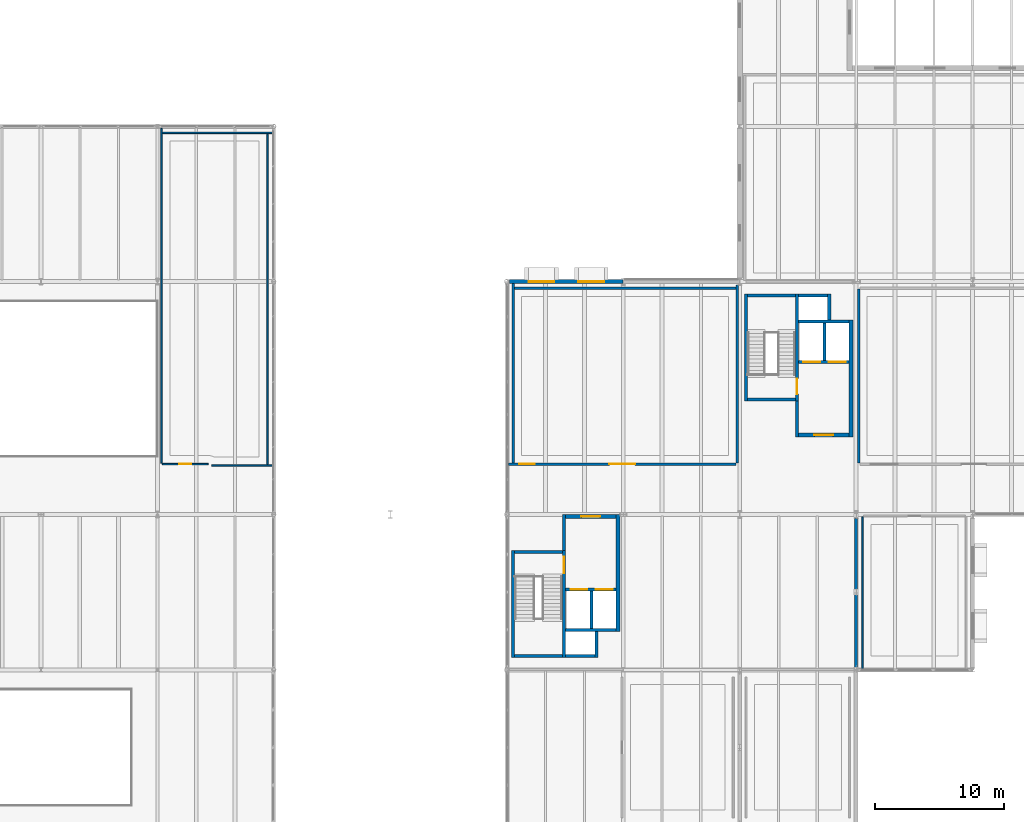
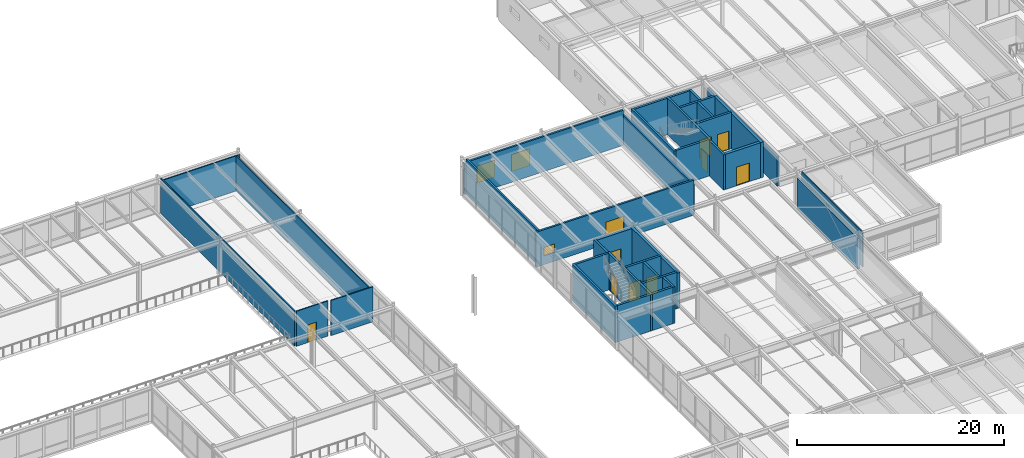
# One storey, part 114 of 127: 37 walls, 10 doors, 3 windows, 13 openings.
"""IFC4 building model written with IfcOpenShell, lengths in metres."""

from ifc_helpers import new_model, si_unit, direction, frame, frame_2d, origin, place, context, subcontext, project, spatial, rectangle, extrude, material, layer, layer_set, type_object, element, fill, save


model = new_model("IFC4")

# Units and contexts
model_context = context("Model", 3, precision=1e-05, world=origin(), true_north=direction((0.0, 1.0)))
body_context = subcontext(model_context, "Body", "Model", "MODEL_VIEW")
ifc_project = project(units=[si_unit("LENGTHUNIT", "METRE"), si_unit("AREAUNIT", "SQUARE_METRE"), si_unit("VOLUMEUNIT", "CUBIC_METRE"), si_unit("PLANEANGLEUNIT", "RADIAN"), si_unit("MASSUNIT", "GRAM", prefix="KILO")], contexts=[model_context])

# Site, building, storey
site_placement = place(None, origin())
site = spatial("IfcSite", under=ifc_project, at=site_placement, CompositionType="ELEMENT")
building_placement = place(site_placement, origin())
building = spatial("IfcBuilding", under=site, at=building_placement, Name="Montelvaro Courts of Justice", CompositionType="ELEMENT")
storey_placement = place(building_placement, frame((0.0, 0.0, 5.39990234375)))
storey = spatial("IfcBuildingStorey", under=building, at=storey_placement, Name="L01", CompositionType="ELEMENT", Elevation=5.39990234375)

# Wall, opening, door
ifc_material_1 = material(Name="Concrete C40/50", Category="concrete")
ifc_layer_1 = layer(ifc_material_1, 0.320068359375)
ifc_layer_set_1 = layer_set([ifc_layer_1], Name="Concrete C40/50")
wall_type_1 = type_object("IfcWallType", Name="CoreWall_320", PredefinedType="SHEAR", material=ifc_layer_set_1)
wall_1_placement = place(storey_placement, frame((121.5400390625, 84.159912109375, 0.0), z_axis=(0.0, 0.0, 1.0), x_axis=(1.0, 0.0, 0.0)))
wall_1 = element("IfcWall", 1, at=wall_1_placement, inside=storey, type_object=wall_type_1, Name="Core Shear Wall CW-02 K3-S (L01)", PredefinedType="SHEAR", context=body_context, shape_type="SweptSolid", body=[
    extrude(rectangle(XDim=3.89990234375, YDim=0.320068359375, at=frame_2d((1.949951171875, 0.0))), origin(), (0.0, 0.0, 1.0), 4.16015625),
])
opening_1_placement = place(wall_1_placement, frame((1.22509765625, 0.0, 0.0)))
opening_1 = element("IfcOpeningElement", 2, at=opening_1_placement, cuts=wall_1, Name="Opening DL-L01-K3", PredefinedType="OPENING", context=body_context, shape_type="SweptSolid", body=[
    extrude(rectangle(XDim=1.449951171875, YDim=2.199951171875, at=frame_2d((0.72509765625, 1.10009765625))), frame((0.0, 0.1748046875, 0.0), z_axis=(0.0, -1.0, 0.0), x_axis=(1.0, 0.0, 0.0)), (0.0, 0.0, 1.0), 0.349853515625),
])
ifc_material_2 = material(Name="Galvanised steel S355 security door", Category="steel")
door_type_1 = type_object("IfcDoorType", Name="LobbyFireDoor_145x220", OperationType="DOUBLE_DOOR_SINGLE_SWING", PredefinedType="DOOR", material=ifc_material_2)
door_1_placement = place(opening_1_placement, origin())
door_1 = element("IfcDoor", 3, at=door_1_placement, inside=storey, type_object=door_type_1, Name="Core Lobby Fire Door DL-L01-K3", OperationType="DOUBLE_DOOR_SINGLE_SWING", OverallHeight=2.199951171875, OverallWidth=1.449951171875, PredefinedType="DOOR", context=body_context, shape_type="SweptSolid", body=[
    extrude(rectangle(XDim=1.449951171875, YDim=2.199951171875, at=frame_2d((0.72509765625, 1.10009765625))), frame((0.0, 0.02490234375, 0.0), z_axis=(0.0, -1.0, 0.0), x_axis=(1.0, 0.0, 0.0)), (0.0, 0.0, 1.0), 0.050048828125),
])
fill(opening_1, door_1)

# Wall
wall_2_placement = place(storey_placement, frame((125.60009765625, 84.0, 0.0), z_axis=(0.0, 0.0, 1.0), x_axis=(0.0, 1.0, 0.0)))
element("IfcWall", 4, at=wall_2_placement, inside=storey, type_object=wall_type_1, Name="Core Shear Wall CW-02 K3-E (L01)", PredefinedType="SHEAR", context=body_context, shape_type="SweptSolid", body=[
    extrude(rectangle(XDim=9.0400390625, YDim=0.320068359375, at=frame_2d((4.52001953125, 0.0))), origin(), (0.0, 0.0, 1.0), 4.16015625),
])

# Wall, opening, door
wall_3_placement = place(storey_placement, frame((103.5400390625, 77.840087890625, 0.0), z_axis=(0.0, 0.0, 1.0), x_axis=(1.0, 0.0, 0.0)))
wall_3 = element("IfcWall", 5, at=wall_3_placement, inside=storey, type_object=wall_type_1, Name="Core Shear Wall CW-02 K4-N (L01)", PredefinedType="SHEAR", context=body_context, shape_type="SweptSolid", body=[
    extrude(rectangle(XDim=3.89990234375, YDim=0.320068359375, at=frame_2d((1.949951171875, 0.0))), origin(), (0.0, 0.0, 1.0), 4.16015625),
])
opening_2_placement = place(wall_3_placement, frame((1.22509765625, 0.0, 0.0)))
opening_2 = element("IfcOpeningElement", 6, at=opening_2_placement, cuts=wall_3, Name="Opening DL-L01-K4", PredefinedType="OPENING", context=body_context, shape_type="SweptSolid", body=[
    extrude(rectangle(XDim=1.449951171875, YDim=2.199951171875, at=frame_2d((0.72509765625, 1.10009765625))), frame((0.0, 0.1748046875, 0.0), z_axis=(0.0, -1.0, 0.0), x_axis=(1.0, 0.0, 0.0)), (0.0, 0.0, 1.0), 0.349853515625),
])
door_2_placement = place(opening_2_placement, origin())
door_2 = element("IfcDoor", 7, at=door_2_placement, inside=storey, type_object=door_type_1, Name="Core Lobby Fire Door DL-L01-K4", OperationType="DOUBLE_DOOR_SINGLE_SWING", OverallHeight=2.199951171875, OverallWidth=1.449951171875, PredefinedType="DOOR", context=body_context, shape_type="SweptSolid", body=[
    extrude(rectangle(XDim=1.449951171875, YDim=2.199951171875, at=frame_2d((0.72509765625, 1.10009765625))), frame((0.0, 0.02490234375, 0.0), z_axis=(0.0, -1.0, 0.0), x_axis=(1.0, 0.0, 0.0)), (0.0, 0.0, 1.0), 0.050048828125),
])
fill(opening_2, door_2)

# Walls
wall_4_placement = place(storey_placement, frame((107.60009765625, 68.9599609375, 0.0), z_axis=(0.0, 0.0, 1.0), x_axis=(0.0, 1.0, 0.0)))
element("IfcWall", 8, at=wall_4_placement, inside=storey, type_object=wall_type_1, Name="Core Shear Wall CW-02 K4-E (L01)", PredefinedType="SHEAR", context=body_context, shape_type="SweptSolid", body=[
    extrude(rectangle(XDim=9.0400390625, YDim=0.320068359375, at=frame_2d((4.52001953125, 0.0))), origin(), (0.0, 0.0, 1.0), 4.16015625),
])
ifc_material_3 = material(Name="Gypsum acoustic double stud with mineral wool")
ifc_layer_2 = layer(ifc_material_3, 0.199951171875)
ifc_layer_set_2 = layer_set([ifc_layer_2], Name="Gypsum acoustic double stud with mineral wool")
wall_type_2 = type_object("IfcWallType", Name="CourtAcousticWall_200", PredefinedType="PARTITIONING", material=ifc_layer_set_2)
wall_5_placement = place(storey_placement, frame((116.800048828125, 95.72705078125, 0.0), z_axis=(0.0, 0.0, 1.0), x_axis=(0.0, -1.0, 0.0)))
element("IfcWall", 9, at=wall_5_placement, inside=storey, type_object=wall_type_2, Name="Interior Partition IW-01 (L01)", PredefinedType="PARTITIONING", context=body_context, shape_type="SweptSolid", body=[
    extrude(rectangle(XDim=13.7470703125, YDim=0.199951171875, at=frame_2d((6.87353515625, 0.0))), origin(), (0.0, 0.0, 1.0), 3.545166015625),
])

# Wall, openings, door, window
wall_6_placement = place(storey_placement, frame((116.719970703125, 81.89990234375, 0.0), z_axis=(0.0, 0.0, 1.0), x_axis=(-1.0, 0.0, 0.0)))
wall_6 = element("IfcWall", 10, at=wall_6_placement, inside=storey, type_object=wall_type_2, Name="Interior Partition IW-01 (L01)", PredefinedType="PARTITIONING", context=body_context, shape_type="SweptSolid", body=[
    extrude(rectangle(XDim=17.594970703125, YDim=0.199951171875, at=frame_2d((8.79736328125, 0.0))), origin(), (0.0, 0.0, 1.0), 4.14013671875),
])
opening_3_placement = place(wall_6_placement, frame((7.797119140625, 0.0, 0.0)))
opening_3 = element("IfcOpeningElement", 11, at=opening_3_placement, cuts=wall_6, Name="Opening D-L01-060", PredefinedType="OPENING", context=body_context, shape_type="SweptSolid", body=[
    extrude(rectangle(XDim=2.0, YDim=2.60009765625, at=frame_2d((1.0, 1.300048828125))), frame((0.0, 0.11474609375, 0.0), z_axis=(0.0, -1.0, 0.0), x_axis=(1.0, 0.0, 0.0)), (0.0, 0.0, 1.0), 0.229736328125),
])
opening_4_placement = place(wall_6_placement, frame((15.544921875, 0.0, 1.050048828125)))
opening_4 = element("IfcOpeningElement", 12, at=opening_4_placement, cuts=wall_6, Name="Opening WI-03", PredefinedType="OPENING", context=body_context, shape_type="SweptSolid", body=[
    extrude(rectangle(XDim=1.199951171875, YDim=1.0, at=frame_2d((0.60009765625, 0.5))), frame((0.0, 0.11474609375, 0.0), z_axis=(0.0, -1.0, 0.0), x_axis=(1.0, 0.0, 0.0)), (0.0, 0.0, 1.0), 0.229736328125),
])
ifc_material_4 = material(Name="Acoustic oak timber veneer", Category="wood")
door_type_2 = type_object("IfcDoorType", Name="CourtDoor_200x260", OperationType="DOUBLE_DOOR_SINGLE_SWING", PredefinedType="DOOR", material=ifc_material_4)
door_3_placement = place(opening_3_placement, origin())
door_3 = element("IfcDoor", 13, at=door_3_placement, inside=storey, type_object=door_type_2, Name="Interior Door D-L01-060 (Penal Courtroom 04)", OperationType="DOUBLE_DOOR_SINGLE_SWING", OverallHeight=2.60009765625, OverallWidth=2.0, PredefinedType="DOOR", context=body_context, shape_type="SweptSolid", body=[
    extrude(rectangle(XDim=2.0, YDim=2.60009765625, at=frame_2d((1.0, 1.300048828125))), frame((0.0, 0.02490234375, 0.0), z_axis=(0.0, -1.0, 0.0), x_axis=(1.0, 0.0, 0.0)), (0.0, 0.0, 1.0), 0.050048828125),
])
fill(opening_3, door_3)
ifc_material_5 = material(Name="Acoustic laminated double glazing", Category="glass")
window_type_1 = type_object("IfcWindowType", Name="IntVision_120x100", PartitioningType="SINGLE_PANEL", PredefinedType="WINDOW", material=ifc_material_5)
window_1_placement = place(opening_4_placement, origin())
window_1 = element("IfcWindow", 14, at=window_1_placement, inside=storey, type_object=window_type_1, Name="Interior Vision Panel WI-031", OverallHeight=1.0, OverallWidth=1.199951171875, PartitioningType="SINGLE_PANEL", PredefinedType="WINDOW", context=body_context, shape_type="SweptSolid", body=[
    extrude(rectangle(XDim=1.199951171875, YDim=1.0, at=frame_2d((0.60009765625, 0.5))), frame((0.0, 0.030029296875, 0.0), z_axis=(0.0, -1.0, 0.0), x_axis=(1.0, 0.0, 0.0)), (0.0, 0.0, 1.0), 0.06005859375),
])
fill(opening_4, window_1)

# Walls
wall_7_placement = place(storey_placement, frame((99.5, 81.97998046875, 0.0), z_axis=(0.0, 0.0, 1.0), x_axis=(0.0, 1.0, 0.0)))
element("IfcWall", 15, at=wall_7_placement, inside=storey, type_object=wall_type_2, Name="Interior Partition IW-01 (L01)", PredefinedType="PARTITIONING", context=body_context, shape_type="SweptSolid", body=[
    extrude(rectangle(XDim=13.875, YDim=0.199951171875, at=frame_2d((6.9375, 0.0))), origin(), (0.0, 0.0, 1.0), 4.14013671875),
])
wall_8_placement = place(storey_placement, frame((99.580078125, 95.5, 0.0), z_axis=(0.0, 0.0, 1.0), x_axis=(1.0, 0.0, 0.0)))
element("IfcWall", 16, at=wall_8_placement, inside=storey, type_object=wall_type_2, Name="Interior Partition IW-01 (L01)", PredefinedType="PARTITIONING", context=body_context, shape_type="SweptSolid", body=[
    extrude(rectangle(XDim=17.139892578125, YDim=0.199951171875, at=frame_2d((8.56982421875, 0.0))), origin(), (0.0, 0.0, 1.0), 4.14013671875),
])
wall_9_placement = place(storey_placement, frame((126.199951171875, 81.97998046875, 0.0), z_axis=(0.0, 0.0, 1.0), x_axis=(0.0, 1.0, 0.0)))
element("IfcWall", 17, at=wall_9_placement, inside=storey, type_object=wall_type_2, Name="Interior Partition IW-01 (L01)", PredefinedType="PARTITIONING", context=body_context, shape_type="SweptSolid", body=[
    extrude(rectangle(XDim=13.43994140625, YDim=0.199951171875, at=frame_2d((6.719970703125, 0.0))), origin(), (0.0, 0.0, 1.0), 3.4951171875),
])

# Wall, openings, windows
ifc_material_6 = material(Name="White mineral precast concrete C45/55", Category="concrete")
ifc_layer_3 = layer(ifc_material_6, 0.300048828125)
ifc_layer_set_3 = layer_set([ifc_layer_3], Name="White mineral precast concrete C45/55")
wall_type_3 = type_object("IfcWallType", Name="ExtWall_GFRC_300", PredefinedType="SOLIDWALL", material=ifc_layer_set_3)
wall_10_placement = place(storey_placement, frame((107.991943359375, 96.0, 0.0), z_axis=(0.0, 0.0, 1.0), x_axis=(-1.0, 0.0, 0.0)))
wall_10 = element("IfcWall", 18, at=wall_10_placement, inside=storey, type_object=wall_type_3, Name="Exterior Facade Wall EW-02 (L01)", PredefinedType="SOLIDWALL", context=body_context, shape_type="SweptSolid", body=[
    extrude(rectangle(XDim=8.76806640625, YDim=0.300048828125, at=frame_2d((4.384033203125, 0.0))), origin(), (0.0, 0.0, 1.0), 3.655029296875),
])
opening_5_placement = place(wall_10_placement, frame((1.455078125, 0.0, 0.800048828125)))
opening_5 = element("IfcOpeningElement", 19, at=opening_5_placement, cuts=wall_10, Name="Opening WE-11", PredefinedType="OPENING", context=body_context, shape_type="SweptSolid", body=[
    extrude(rectangle(XDim=2.0, YDim=2.0, at=frame_2d((1.0, 1.0))), frame((0.0, 0.1650390625, 0.0), z_axis=(0.0, -1.0, 0.0), x_axis=(1.0, 0.0, 0.0)), (0.0, 0.0, 1.0), 0.329833984375),
])
opening_6_placement = place(wall_10_placement, frame((5.31298828125, 0.0, 0.800048828125)))
opening_6 = element("IfcOpeningElement", 20, at=opening_6_placement, cuts=wall_10, Name="Opening WE-11", PredefinedType="OPENING", context=body_context, shape_type="SweptSolid", body=[
    extrude(rectangle(XDim=2.0, YDim=2.0, at=frame_2d((1.0, 1.0))), frame((0.0, 0.1650390625, 0.0), z_axis=(0.0, -1.0, 0.0), x_axis=(1.0, 0.0, 0.0)), (0.0, 0.0, 1.0), 0.329833984375),
])
ifc_material_7 = material(Name="Low-E solar control double glazing", Category="glass")
window_type_2 = type_object("IfcWindowType", Name="Win_Sq_200x200", PartitioningType="SINGLE_PANEL", PredefinedType="WINDOW", material=ifc_material_7)
window_2_placement = place(opening_5_placement, origin())
window_2 = element("IfcWindow", 21, at=window_2_placement, inside=storey, type_object=window_type_2, Name="Window W-L01-044", OverallHeight=2.0, OverallWidth=2.0, PartitioningType="SINGLE_PANEL", PredefinedType="WINDOW", context=body_context, shape_type="SweptSolid", body=[
    extrude(rectangle(XDim=2.0, YDim=2.0, at=frame_2d((1.0, 1.0))), frame((0.0, 0.030029296875, 0.0), z_axis=(0.0, -1.0, 0.0), x_axis=(1.0, 0.0, 0.0)), (0.0, 0.0, 1.0), 0.06005859375),
])
fill(opening_5, window_2)
window_3_placement = place(opening_6_placement, origin())
window_3 = element("IfcWindow", 22, at=window_3_placement, inside=storey, type_object=window_type_2, Name="Window W-L01-045", OverallHeight=2.0, OverallWidth=2.0, PartitioningType="SINGLE_PANEL", PredefinedType="WINDOW", context=body_context, shape_type="SweptSolid", body=[
    extrude(rectangle(XDim=2.0, YDim=2.0, at=frame_2d((1.0, 1.0))), frame((0.0, 0.030029296875, 0.0), z_axis=(0.0, -1.0, 0.0), x_axis=(1.0, 0.0, 0.0)), (0.0, 0.0, 1.0), 0.06005859375),
])
fill(opening_6, window_3)

# Wall, opening, door
ifc_material_8 = material(Name="Gypsum board on metal stud")
ifc_layer_4 = layer(ifc_material_8, 0.1201171875)
ifc_layer_set_4 = layer_set([ifc_layer_4], Name="Gypsum board on metal stud")
wall_type_4 = type_object("IfcWallType", Name="OfficePartition_120", PredefinedType="PARTITIONING", material=ifc_layer_set_4)
wall_11_placement = place(storey_placement, frame((75.919921875, 81.89990234375, 0.0), z_axis=(0.0, 0.0, 1.0), x_axis=(-1.0, 0.0, 0.0)))
wall_11 = element("IfcWall", 23, at=wall_11_placement, inside=storey, type_object=wall_type_4, Name="Interior Partition IW-05 (L01)", PredefinedType="PARTITIONING", context=body_context, shape_type="SweptSolid", body=[
    extrude(rectangle(XDim=3.5400390625, YDim=0.1201171875, at=frame_2d((1.77001953125, 0.0))), origin(), (0.0, 0.0, 1.0), 4.14013671875),
])
opening_7_placement = place(wall_11_placement, frame((1.320068359375, 0.0, 0.0)))
opening_7 = element("IfcOpeningElement", 24, at=opening_7_placement, cuts=wall_11, Name="Opening D-L01-059", PredefinedType="OPENING", context=body_context, shape_type="SweptSolid", body=[
    extrude(rectangle(XDim=0.89990234375, YDim=2.10009765625, at=frame_2d((0.449951171875, 1.050048828125))), frame((0.0, 0.074951171875, 0.0), z_axis=(0.0, -1.0, 0.0), x_axis=(1.0, 0.0, 0.0)), (0.0, 0.0, 1.0), 0.14990234375),
])
door_type_3 = type_object("IfcDoorType", Name="OfficeDoor_090x210", OperationType="NOTDEFINED", PredefinedType="DOOR", material=ifc_material_4)
door_4_placement = place(opening_7_placement, frame((0.89990234375, 0.0, 0.0), z_axis=(0.0, 0.0, 1.0), x_axis=(-1.0, 0.0, 0.0)))
door_4 = element("IfcDoor", 25, at=door_4_placement, inside=storey, type_object=door_type_3, Name="Interior Door D-L01-059 (Ceremonial Judicial Translation Suite)", OperationType="SINGLE_SWING_LEFT", OverallHeight=2.10009765625, OverallWidth=0.89990234375, PredefinedType="DOOR", context=body_context, shape_type="SweptSolid", body=[
    extrude(rectangle(XDim=0.89990234375, YDim=2.10009765625, at=frame_2d((0.449951171875, 1.050048828125))), frame((0.0, 0.02490234375, 0.0), z_axis=(0.0, -1.0, 0.0), x_axis=(1.0, 0.0, 0.0)), (0.0, 0.0, 1.0), 0.050048828125),
])
fill(opening_7, door_4)

# Walls
wall_12_placement = place(storey_placement, frame((72.300048828125, 81.97998046875, 0.0), z_axis=(0.0, 0.0, 1.0), x_axis=(0.0, 1.0, 0.0)))
element("IfcWall", 26, at=wall_12_placement, inside=storey, type_object=wall_type_4, Name="Interior Partition IW-05 (L01)", PredefinedType="PARTITIONING", context=body_context, shape_type="SweptSolid", body=[
    extrude(rectangle(XDim=25.8720703125, YDim=0.1201171875, at=frame_2d((12.93603515625, 0.0))), origin(), (0.0, 0.0, 1.0), 4.14013671875),
])
wall_13_placement = place(storey_placement, frame((72.35498046875, 107.5, 0.0), z_axis=(0.0, 0.0, 1.0), x_axis=(1.0, 0.0, 0.0)))
element("IfcWall", 27, at=wall_13_placement, inside=storey, type_object=wall_type_4, Name="Interior Partition IW-05 (L01)", PredefinedType="PARTITIONING", context=body_context, shape_type="SweptSolid", body=[
    extrude(rectangle(XDim=8.52001953125, YDim=0.1201171875, at=frame_2d((4.260009765625, 0.0))), origin(), (0.0, 0.0, 1.0), 4.14013671875),
])
wall_14_placement = place(storey_placement, frame((80.5, 107.445068359375, 0.0), z_axis=(0.0, 0.0, 1.0), x_axis=(0.0, -1.0, 0.0)))
element("IfcWall", 28, at=wall_14_placement, inside=storey, type_object=wall_type_4, Name="Interior Partition IW-05 (L01)", PredefinedType="PARTITIONING", context=body_context, shape_type="SweptSolid", body=[
    extrude(rectangle(XDim=25.565185546875, YDim=0.1201171875, at=frame_2d((12.78271484375, 0.0))), origin(), (0.0, 0.0, 1.0), 4.14013671875),
])
wall_15_placement = place(storey_placement, frame((80.875, 81.800048828125, 0.0), z_axis=(0.0, 0.0, 1.0), x_axis=(-1.0, 0.0, 0.0)))
element("IfcWall", 29, at=wall_15_placement, inside=storey, type_object=wall_type_4, Name="Interior Partition IW-05 (L01)", PredefinedType="PARTITIONING", context=body_context, shape_type="SweptSolid", body=[
    extrude(rectangle(XDim=4.695068359375, YDim=0.1201171875, at=frame_2d((2.34765625, 0.0))), origin(), (0.0, 0.0, 1.0), 4.14013671875),
])
wall_16_placement = place(storey_placement, frame((126.5, 66.074951171875, 0.0), z_axis=(0.0, 0.0, 1.0), x_axis=(0.0, 1.0, 0.0)))
element("IfcWall", 30, at=wall_16_placement, inside=storey, type_object=wall_type_4, Name="Interior Partition IW-05 (L01)", PredefinedType="PARTITIONING", context=body_context, shape_type="SweptSolid", body=[
    extrude(rectangle(XDim=11.7451171875, YDim=0.1201171875, at=frame_2d((5.87255859375, 0.0))), origin(), (0.0, 0.0, 1.0), 4.14013671875),
])
ifc_material_9 = material(Name="Concrete C35/45", Category="concrete")
ifc_layer_5 = layer(ifc_material_9, 0.239990234375)
ifc_layer_set_5 = layer_set([ifc_layer_5], Name="Concrete C35/45")
wall_type_5 = type_object("IfcWallType", Name="ShaftWall_240", PredefinedType="SHEAR", material=ifc_layer_set_5)
wall_17_placement = place(storey_placement, frame((117.47998046875, 86.760009765625, 0.0), z_axis=(0.0, 0.0, 1.0), x_axis=(0.0, 1.0, 0.0)))
element("IfcWall", 31, at=wall_17_placement, inside=storey, type_object=wall_type_5, Name="Protected Stair Structural Wall ST-K3-W (L01)", PredefinedType="SHEAR", context=body_context, shape_type="SweptSolid", body=[
    extrude(rectangle(XDim=8.280029296875, YDim=0.239990234375, at=frame_2d((4.14013671875, 0.0))), origin(), (0.0, 0.0, 1.0), 4.31005859375),
])

# Wall, opening, door
wall_18_placement = place(storey_placement, frame((121.419921875, 86.760009765625, 0.0), z_axis=(0.0, 0.0, 1.0), x_axis=(0.0, 1.0, 0.0)))
wall_18 = element("IfcWall", 32, at=wall_18_placement, inside=storey, type_object=wall_type_5, Name="Protected Stair Structural Wall ST-K3-E (L01)", PredefinedType="SHEAR", context=body_context, shape_type="SweptSolid", body=[
    extrude(rectangle(XDim=8.280029296875, YDim=0.239990234375, at=frame_2d((4.14013671875, 0.0))), origin(), (0.0, 0.0, 1.0), 4.31005859375),
])
opening_8_placement = place(wall_18_placement, frame((0.5400390625, 0.0, 0.0)))
opening_8 = element("IfcOpeningElement", 33, at=opening_8_placement, cuts=wall_18, Name="Opening DS-L01-K3", PredefinedType="OPENING", context=body_context, shape_type="SweptSolid", body=[
    extrude(rectangle(XDim=1.199951171875, YDim=2.14990234375, at=frame_2d((0.60009765625, 1.074951171875))), frame((0.0, 0.134765625, 0.0), z_axis=(0.0, -1.0, 0.0), x_axis=(1.0, 0.0, 0.0)), (0.0, 0.0, 1.0), 0.269775390625),
])
door_type_4 = type_object("IfcDoorType", Name="StairFireDoor_120x215", OperationType="NOTDEFINED", PredefinedType="DOOR", material=ifc_material_2)
door_5_placement = place(opening_8_placement, frame((1.199951171875, 0.0, 0.0), z_axis=(0.0, 0.0, 1.0), x_axis=(-1.0, 0.0, 0.0)))
door_5 = element("IfcDoor", 34, at=door_5_placement, inside=storey, type_object=door_type_4, Name="Protected Stair Fire Door DS-L01-K3", OperationType="SINGLE_SWING_LEFT", OverallHeight=2.14990234375, OverallWidth=1.199951171875, PredefinedType="DOOR", context=body_context, shape_type="SweptSolid", body=[
    extrude(rectangle(XDim=1.199951171875, YDim=2.14990234375, at=frame_2d((0.60009765625, 1.074951171875))), frame((0.0, 0.02490234375, 0.0), z_axis=(0.0, -1.0, 0.0), x_axis=(1.0, 0.0, 0.0)), (0.0, 0.0, 1.0), 0.050048828125),
])
fill(opening_8, door_5)

# Walls
for number, where, z_axis, x_axis, name in (
    (35, (117.60009765625, 86.8798828125, 0.0), (0.0, 0.0, 1.0), (1.0, 0.0, 0.0), "Protected Stair Structural Wall ST-K3-S (L01)"),
    (36, (117.60009765625, 94.919921875, 0.0), (0.0, 0.0, 1.0), (1.0, 0.0, 0.0), "Protected Stair Structural Wall ST-K3-N (L01)"),
):
    element("IfcWall", number, at=place(storey_placement, frame(where, z_axis=z_axis, x_axis=x_axis)), inside=storey, type_object=wall_type_5, Name=name, PredefinedType="SHEAR", context=body_context, shape_type="SweptSolid", body=[
        extrude(rectangle(XDim=3.699951171875, YDim=0.239990234375, at=frame_2d((1.85009765625, 0.0))), origin(), (0.0, 0.0, 1.0), 4.31005859375),
    ])
wall_19_placement = place(storey_placement, frame((99.47998046875, 66.9599609375, 0.0), z_axis=(0.0, 0.0, 1.0), x_axis=(0.0, 1.0, 0.0)))
element("IfcWall", 37, at=wall_19_placement, inside=storey, type_object=wall_type_5, Name="Protected Stair Structural Wall ST-K4-W (L01)", PredefinedType="SHEAR", context=body_context, shape_type="SweptSolid", body=[
    extrude(rectangle(XDim=8.280029296875, YDim=0.239990234375, at=frame_2d((4.14013671875, 0.0))), origin(), (0.0, 0.0, 1.0), 4.31005859375),
])

# Wall, opening, door
wall_20_placement = place(storey_placement, frame((103.419921875, 66.9599609375, 0.0), z_axis=(0.0, 0.0, 1.0), x_axis=(0.0, 1.0, 0.0)))
wall_20 = element("IfcWall", 38, at=wall_20_placement, inside=storey, type_object=wall_type_5, Name="Protected Stair Structural Wall ST-K4-E (L01)", PredefinedType="SHEAR", context=body_context, shape_type="SweptSolid", body=[
    extrude(rectangle(XDim=8.280029296875, YDim=0.239990234375, at=frame_2d((4.14013671875, 0.0))), origin(), (0.0, 0.0, 1.0), 4.31005859375),
])
opening_9_placement = place(wall_20_placement, frame((6.489990234375, 0.0, 0.0)))
opening_9 = element("IfcOpeningElement", 39, at=opening_9_placement, cuts=wall_20, Name="Opening DS-L01-K4", PredefinedType="OPENING", context=body_context, shape_type="SweptSolid", body=[
    extrude(rectangle(XDim=1.300048828125, YDim=2.199951171875, at=frame_2d((0.64990234375, 1.10009765625))), frame((0.0, 0.134765625, 0.0), z_axis=(0.0, -1.0, 0.0), x_axis=(1.0, 0.0, 0.0)), (0.0, 0.0, 1.0), 0.269775390625),
])
door_type_5 = type_object("IfcDoorType", Name="StairFireDoor_130x220", OperationType="NOTDEFINED", PredefinedType="DOOR", material=ifc_material_2)
door_6_placement = place(opening_9_placement, frame((1.300048828125, 0.0, 0.0), z_axis=(0.0, 0.0, 1.0), x_axis=(-1.0, 0.0, 0.0)))
door_6 = element("IfcDoor", 40, at=door_6_placement, inside=storey, type_object=door_type_5, Name="Protected Stair Fire Door DS-L01-K4", OperationType="SINGLE_SWING_RIGHT", OverallHeight=2.199951171875, OverallWidth=1.300048828125, PredefinedType="DOOR", context=body_context, shape_type="SweptSolid", body=[
    extrude(rectangle(XDim=1.300048828125, YDim=2.199951171875, at=frame_2d((0.64990234375, 1.10009765625))), frame((0.0, 0.02490234375, 0.0), z_axis=(0.0, -1.0, 0.0), x_axis=(1.0, 0.0, 0.0)), (0.0, 0.0, 1.0), 0.050048828125),
])
fill(opening_9, door_6)

# Walls
for number, where, z_axis, x_axis, name in (
    (41, (99.60009765625, 67.080078125, 0.0), (0.0, 0.0, 1.0), (1.0, 0.0, 0.0), "Protected Stair Structural Wall ST-K4-S (L01)"),
    (42, (99.60009765625, 75.1201171875, 0.0), (0.0, 0.0, 1.0), (1.0, 0.0, 0.0), "Protected Stair Structural Wall ST-K4-N (L01)"),
):
    element("IfcWall", number, at=place(storey_placement, frame(where, z_axis=z_axis, x_axis=x_axis)), inside=storey, type_object=wall_type_5, Name=name, PredefinedType="SHEAR", context=body_context, shape_type="SweptSolid", body=[
        extrude(rectangle(XDim=3.699951171875, YDim=0.239990234375, at=frame_2d((1.85009765625, 0.0))), origin(), (0.0, 0.0, 1.0), 4.31005859375),
    ])
wall_21_placement = place(storey_placement, frame((121.419921875, 84.0, 0.0), z_axis=(0.0, 0.0, 1.0), x_axis=(0.0, 1.0, 0.0)))
element("IfcWall", 43, at=wall_21_placement, inside=storey, type_object=wall_type_5, Name="Core Lobby Structural Wall K3-W (L01)", PredefinedType="SHEAR", context=body_context, shape_type="SweptSolid", body=[
    extrude(rectangle(XDim=2.760009765625, YDim=0.239990234375, at=frame_2d((1.3798828125, 0.0))), origin(), (0.0, 0.0, 1.0), 4.16015625),
])

# Wall, openings, doors
wall_22_placement = place(storey_placement, frame((121.5400390625, 89.780029296875, 0.0), z_axis=(0.0, 0.0, 1.0), x_axis=(1.0, 0.0, 0.0)))
wall_22 = element("IfcWall", 44, at=wall_22_placement, inside=storey, type_object=wall_type_5, Name="Lift Shaft Bank Wall K3 (L01)", PredefinedType="SHEAR", context=body_context, shape_type="SweptSolid", body=[
    extrude(rectangle(XDim=3.89990234375, YDim=0.239990234375, at=frame_2d((1.949951171875, 0.0))), origin(), (0.0, 0.0, 1.0), 4.31005859375),
])
opening_10_placement = place(wall_22_placement, frame((0.385009765625, 0.0, 0.0)))
opening_10 = element("IfcOpeningElement", 45, at=opening_10_placement, cuts=wall_22, Name="Opening LD-LC-01-L01", PredefinedType="OPENING", context=body_context, shape_type="SweptSolid", body=[
    extrude(rectangle(XDim=1.300048828125, YDim=2.199951171875, at=frame_2d((0.64990234375, 1.10009765625))), frame((0.0, 0.134765625, 0.0), z_axis=(0.0, -1.0, 0.0), x_axis=(1.0, 0.0, 0.0)), (0.0, 0.0, 1.0), 0.269775390625),
])
opening_11_placement = place(wall_22_placement, frame((2.3349609375, 0.0, 0.0)))
opening_11 = element("IfcOpeningElement", 46, at=opening_11_placement, cuts=wall_22, Name="Opening LD-LG-01-L01", PredefinedType="OPENING", context=body_context, shape_type="SweptSolid", body=[
    extrude(rectangle(XDim=1.300048828125, YDim=2.199951171875, at=frame_2d((0.64990234375, 1.10009765625))), frame((0.0, 0.134765625, 0.0), z_axis=(0.0, -1.0, 0.0), x_axis=(1.0, 0.0, 0.0)), (0.0, 0.0, 1.0), 0.269775390625),
])
door_type_6 = type_object("IfcDoorType", Name="LiftDoor_130x220", OperationType="DOUBLE_DOOR_SLIDING", PredefinedType="DOOR", material=ifc_material_2)
door_7_placement = place(opening_10_placement, origin())
door_7 = element("IfcDoor", 47, at=door_7_placement, inside=storey, type_object=door_type_6, Name="Lift Landing Sliding Door LD-LC-01-L01", OperationType="DOUBLE_DOOR_SLIDING", OverallHeight=2.199951171875, OverallWidth=1.300048828125, PredefinedType="DOOR", context=body_context, shape_type="SweptSolid", body=[
    extrude(rectangle(XDim=1.300048828125, YDim=2.199951171875, at=frame_2d((0.64990234375, 1.10009765625))), frame((0.0, 0.02490234375, 0.0), z_axis=(0.0, -1.0, 0.0), x_axis=(1.0, 0.0, 0.0)), (0.0, 0.0, 1.0), 0.050048828125),
])
fill(opening_10, door_7)
door_8_placement = place(opening_11_placement, origin())
door_8 = element("IfcDoor", 48, at=door_8_placement, inside=storey, type_object=door_type_6, Name="Lift Landing Sliding Door LD-LG-01-L01", OperationType="DOUBLE_DOOR_SLIDING", OverallHeight=2.199951171875, OverallWidth=1.300048828125, PredefinedType="DOOR", context=body_context, shape_type="SweptSolid", body=[
    extrude(rectangle(XDim=1.300048828125, YDim=2.199951171875, at=frame_2d((0.64990234375, 1.10009765625))), frame((0.0, 0.02490234375, 0.0), z_axis=(0.0, -1.0, 0.0), x_axis=(1.0, 0.0, 0.0)), (0.0, 0.0, 1.0), 0.050048828125),
])
fill(opening_11, door_8)

# Walls
wall_23_placement = place(storey_placement, frame((121.5400390625, 92.919921875, 0.0), z_axis=(0.0, 0.0, 1.0), x_axis=(1.0, 0.0, 0.0)))
element("IfcWall", 49, at=wall_23_placement, inside=storey, type_object=wall_type_5, Name="Lift Shaft Back Wall K3 (L01)", PredefinedType="SHEAR", context=body_context, shape_type="SweptSolid", body=[
    extrude(rectangle(XDim=3.89990234375, YDim=0.239990234375, at=frame_2d((1.949951171875, 0.0))), origin(), (0.0, 0.0, 1.0), 4.31005859375),
])
wall_24_placement = place(storey_placement, frame((123.550048828125, 89.89990234375, 0.0), z_axis=(0.0, 0.0, 1.0), x_axis=(0.0, 1.0, 0.0)))
element("IfcWall", 50, at=wall_24_placement, inside=storey, type_object=wall_type_5, Name="Lift Shaft Divider Wall K3-LFD1 (L01)", PredefinedType="SHEAR", context=body_context, shape_type="SweptSolid", body=[
    extrude(rectangle(XDim=2.900146484375, YDim=0.239990234375, at=frame_2d((1.4501953125, 0.0))), origin(), (0.0, 0.0, 1.0), 4.31005859375),
])
wall_25_placement = place(storey_placement, frame((123.919921875, 93.0400390625, 0.0), z_axis=(0.0, 0.0, 1.0), x_axis=(0.0, 1.0, 0.0)))
element("IfcWall", 51, at=wall_25_placement, inside=storey, type_object=wall_type_5, Name="Service Riser East Shaft Wall K3 (L01)", PredefinedType="SHEAR", context=body_context, shape_type="SweptSolid", body=[
    extrude(rectangle(XDim=2.0, YDim=0.239990234375, at=frame_2d((1.0, 0.0))), origin(), (0.0, 0.0, 1.0), 4.31005859375),
])
wall_26_placement = place(storey_placement, frame((121.5400390625, 94.919921875, 0.0), z_axis=(0.0, 0.0, 1.0), x_axis=(1.0, 0.0, 0.0)))
element("IfcWall", 52, at=wall_26_placement, inside=storey, type_object=wall_type_5, Name="Service Riser North Shaft Wall K3 (L01)", PredefinedType="SHEAR", context=body_context, shape_type="SweptSolid", body=[
    extrude(rectangle(XDim=2.260009765625, YDim=0.239990234375, at=frame_2d((1.1298828125, 0.0))), origin(), (0.0, 0.0, 1.0), 4.31005859375),
])
wall_27_placement = place(storey_placement, frame((103.419921875, 75.239990234375, 0.0), z_axis=(0.0, 0.0, 1.0), x_axis=(0.0, 1.0, 0.0)))
element("IfcWall", 53, at=wall_27_placement, inside=storey, type_object=wall_type_5, Name="Core Lobby Structural Wall K4-W (L01)", PredefinedType="SHEAR", context=body_context, shape_type="SweptSolid", body=[
    extrude(rectangle(XDim=2.760009765625, YDim=0.239990234375, at=frame_2d((1.3798828125, 0.0))), origin(), (0.0, 0.0, 1.0), 4.16015625),
])

# Wall, openings, doors
wall_28_placement = place(storey_placement, frame((103.5400390625, 72.219970703125, 0.0), z_axis=(0.0, 0.0, 1.0), x_axis=(1.0, 0.0, 0.0)))
wall_28 = element("IfcWall", 54, at=wall_28_placement, inside=storey, type_object=wall_type_5, Name="Lift Shaft Bank Wall K4 (L01)", PredefinedType="SHEAR", context=body_context, shape_type="SweptSolid", body=[
    extrude(rectangle(XDim=3.89990234375, YDim=0.239990234375, at=frame_2d((1.949951171875, 0.0))), origin(), (0.0, 0.0, 1.0), 4.31005859375),
])
opening_12_placement = place(wall_28_placement, frame((0.385009765625, 0.0, 0.0)))
opening_12 = element("IfcOpeningElement", 55, at=opening_12_placement, cuts=wall_28, Name="Opening LD-LP-01-L01", PredefinedType="OPENING", context=body_context, shape_type="SweptSolid", body=[
    extrude(rectangle(XDim=1.300048828125, YDim=2.199951171875, at=frame_2d((0.64990234375, 1.10009765625))), frame((0.0, 0.134765625, 0.0), z_axis=(0.0, -1.0, 0.0), x_axis=(1.0, 0.0, 0.0)), (0.0, 0.0, 1.0), 0.269775390625),
])
opening_13_placement = place(wall_28_placement, frame((2.3349609375, 0.0, 0.0)))
opening_13 = element("IfcOpeningElement", 56, at=opening_13_placement, cuts=wall_28, Name="Opening LD-LP-02-L01", PredefinedType="OPENING", context=body_context, shape_type="SweptSolid", body=[
    extrude(rectangle(XDim=1.300048828125, YDim=2.199951171875, at=frame_2d((0.64990234375, 1.10009765625))), frame((0.0, 0.134765625, 0.0), z_axis=(0.0, -1.0, 0.0), x_axis=(1.0, 0.0, 0.0)), (0.0, 0.0, 1.0), 0.269775390625),
])
door_9_placement = place(opening_12_placement, origin())
door_9 = element("IfcDoor", 57, at=door_9_placement, inside=storey, type_object=door_type_6, Name="Lift Landing Sliding Door LD-LP-01-L01", OperationType="DOUBLE_DOOR_SLIDING", OverallHeight=2.199951171875, OverallWidth=1.300048828125, PredefinedType="DOOR", context=body_context, shape_type="SweptSolid", body=[
    extrude(rectangle(XDim=1.300048828125, YDim=2.199951171875, at=frame_2d((0.64990234375, 1.10009765625))), frame((0.0, 0.02490234375, 0.0), z_axis=(0.0, -1.0, 0.0), x_axis=(1.0, 0.0, 0.0)), (0.0, 0.0, 1.0), 0.050048828125),
])
fill(opening_12, door_9)
door_10_placement = place(opening_13_placement, origin())
door_10 = element("IfcDoor", 58, at=door_10_placement, inside=storey, type_object=door_type_6, Name="Lift Landing Sliding Door LD-LP-02-L01", OperationType="DOUBLE_DOOR_SLIDING", OverallHeight=2.199951171875, OverallWidth=1.300048828125, PredefinedType="DOOR", context=body_context, shape_type="SweptSolid", body=[
    extrude(rectangle(XDim=1.300048828125, YDim=2.199951171875, at=frame_2d((0.64990234375, 1.10009765625))), frame((0.0, 0.02490234375, 0.0), z_axis=(0.0, -1.0, 0.0), x_axis=(1.0, 0.0, 0.0)), (0.0, 0.0, 1.0), 0.050048828125),
])
fill(opening_13, door_10)

# Walls
wall_29_placement = place(storey_placement, frame((103.5400390625, 69.080078125, 0.0), z_axis=(0.0, 0.0, 1.0), x_axis=(1.0, 0.0, 0.0)))
element("IfcWall", 59, at=wall_29_placement, inside=storey, type_object=wall_type_5, Name="Lift Shaft Back Wall K4 (L01)", PredefinedType="SHEAR", context=body_context, shape_type="SweptSolid", body=[
    extrude(rectangle(XDim=3.89990234375, YDim=0.239990234375, at=frame_2d((1.949951171875, 0.0))), origin(), (0.0, 0.0, 1.0), 4.31005859375),
])
wall_30_placement = place(storey_placement, frame((105.550048828125, 69.199951171875, 0.0), z_axis=(0.0, 0.0, 1.0), x_axis=(0.0, 1.0, 0.0)))
element("IfcWall", 60, at=wall_30_placement, inside=storey, type_object=wall_type_5, Name="Lift Shaft Divider Wall K4-LFD1 (L01)", PredefinedType="SHEAR", context=body_context, shape_type="SweptSolid", body=[
    extrude(rectangle(XDim=2.900146484375, YDim=0.239990234375, at=frame_2d((1.4501953125, 0.0))), origin(), (0.0, 0.0, 1.0), 4.31005859375),
])
wall_31_placement = place(storey_placement, frame((105.919921875, 66.9599609375, 0.0), z_axis=(0.0, 0.0, 1.0), x_axis=(0.0, 1.0, 0.0)))
element("IfcWall", 61, at=wall_31_placement, inside=storey, type_object=wall_type_5, Name="Service Riser East Shaft Wall K4 (L01)", PredefinedType="SHEAR", context=body_context, shape_type="SweptSolid", body=[
    extrude(rectangle(XDim=2.0, YDim=0.239990234375, at=frame_2d((1.0, 0.0))), origin(), (0.0, 0.0, 1.0), 4.31005859375),
])
wall_32_placement = place(storey_placement, frame((103.5400390625, 67.080078125, 0.0), z_axis=(0.0, 0.0, 1.0), x_axis=(1.0, 0.0, 0.0)))
element("IfcWall", 62, at=wall_32_placement, inside=storey, type_object=wall_type_5, Name="Service Riser South Shaft Wall K4 (L01)", PredefinedType="SHEAR", context=body_context, shape_type="SweptSolid", body=[
    extrude(rectangle(XDim=2.260009765625, YDim=0.239990234375, at=frame_2d((1.1298828125, 0.0))), origin(), (0.0, 0.0, 1.0), 4.31005859375),
])
wall_33_placement = place(storey_placement, frame((126.0, 66.008056640625, 0.0), z_axis=(0.0, 0.0, 1.0), x_axis=(0.0, 1.0, 0.0)))
element("IfcWall", 63, at=wall_33_placement, inside=storey, type_object=wall_type_5, Name="Enclosed Braced Frame Structural Wall CBF3 (L01)", PredefinedType="SHEAR", context=body_context, shape_type="SweptSolid", body=[
    extrude(rectangle(XDim=11.69384765625, YDim=0.239990234375, at=frame_2d((5.846923828125, 0.0))), origin(), (0.0, 0.0, 1.0), 3.64501953125),
])

save(model, "model.ifc")
